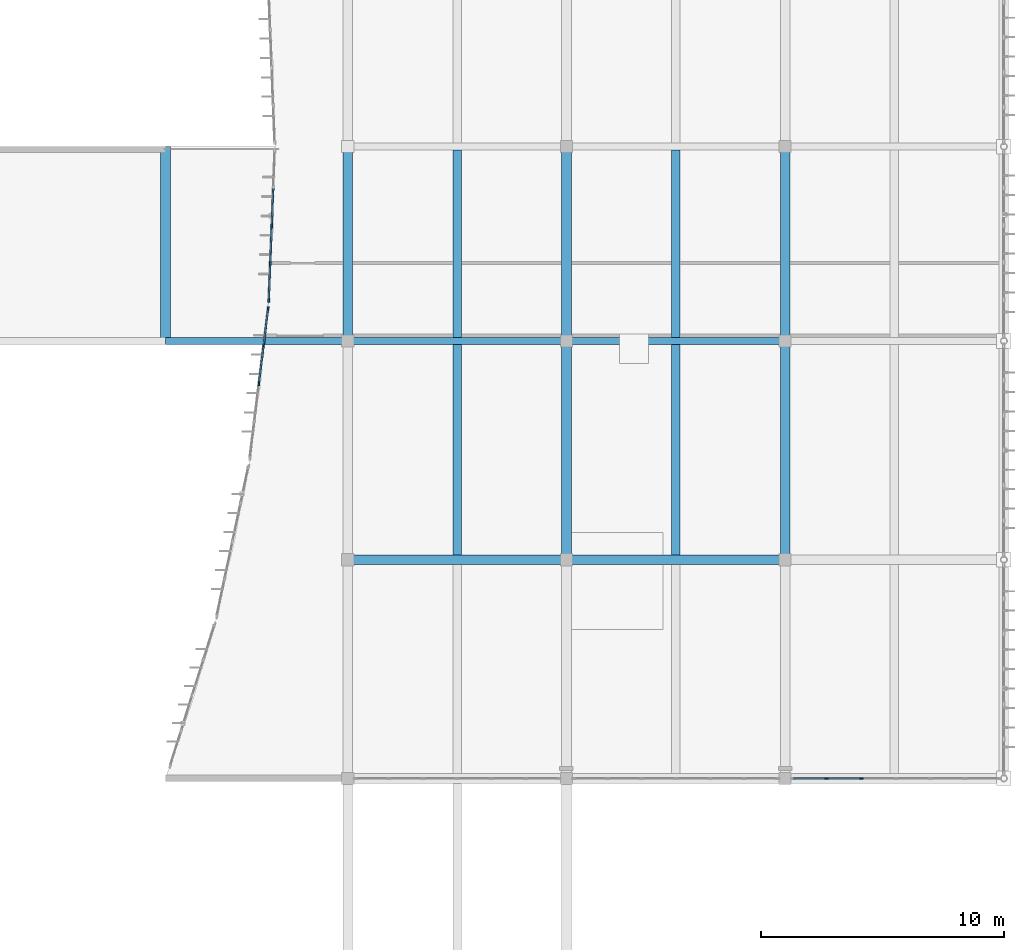
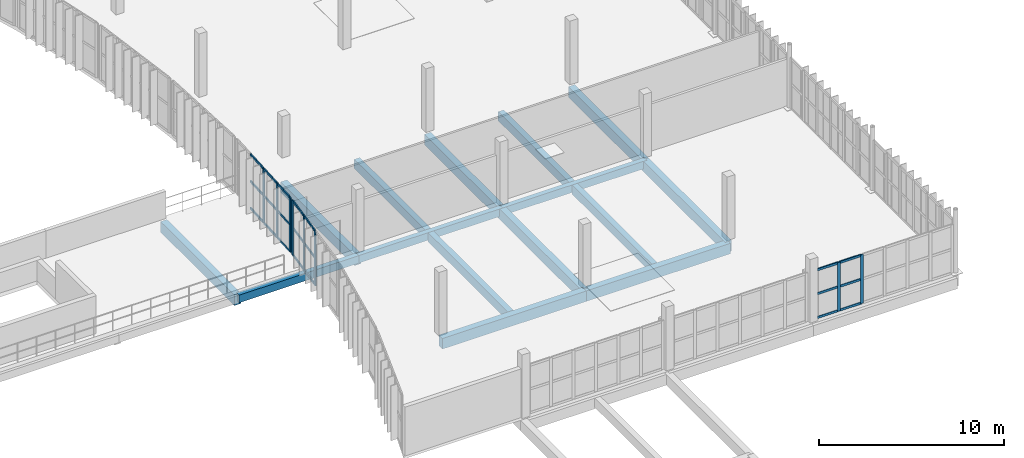
# One storey, part 23 of 61: 29 members, 15 beams, 3 elements without a shape of their own.
"""IFC4 building model written with IfcOpenShell, lengths in metres."""

from ifc_helpers import new_model, si_unit, direction, frame, origin, origin_2d, place, context, subcontext, project, spatial, rectangle, extrude, material, material_profile, profile_set, type_object, element, aggregate, save


model = new_model("IFC4")

# Units and contexts
model_context = context("Model", 3, precision=1e-05, world=origin(), true_north=direction((0.0, 1.0)))
body_context = subcontext(model_context, "Body", "Model", "MODEL_VIEW")
ifc_project = project(units=[si_unit("LENGTHUNIT", "METRE"), si_unit("AREAUNIT", "SQUARE_METRE"), si_unit("VOLUMEUNIT", "CUBIC_METRE"), si_unit("PLANEANGLEUNIT", "RADIAN"), si_unit("MASSUNIT", "GRAM", prefix="KILO")], contexts=[model_context])

# Site, building, storey
site_placement = place(None, origin())
site = spatial("IfcSite", under=ifc_project, at=site_placement, CompositionType="ELEMENT")
building_placement = place(site_placement, origin())
building = spatial("IfcBuilding", under=site, at=building_placement, Name="Vourika Railside Aquatics Centre", CompositionType="ELEMENT")
storey_placement = place(building_placement, frame((0.0, 0.0, 9.300048828125)))
storey = spatial("IfcBuildingStorey", under=building, at=storey_placement, Name="L02", CompositionType="ELEMENT", Elevation=9.300048828125)

# Beams
ifc_material_1 = material(Name="Concrete C35/45", Category="concrete")
ifc_material_profile_1 = material_profile(ifc_material_1, rectangle(XDim=0.39990234375, YDim=0.699951171875, at=origin_2d()), Name="RC 400x700")
ifc_profile_set_1 = profile_set([ifc_material_profile_1], Name="Concrete C35/45")
beam_type_1 = type_object("IfcBeamType", Name="BM-GIRD-400x700", PredefinedType="BEAM", material=ifc_profile_set_1)
for number, where, z_axis, x_axis, name in (
    (1, (141.0, 49.0, -0.630126953125), (1.0, 0.0, 0.0), (0.0, 1.0, 0.0), "Floor Beam GX-L02-045"),
    (2, (150.0, 49.0, -0.630126953125), (1.0, 0.0, 0.0), (0.0, 1.0, 0.0), "Floor Beam GX-L02-046"),
):
    element("IfcBeam", number, at=place(storey_placement, frame(where, z_axis=z_axis, x_axis=x_axis)), inside=storey, type_object=beam_type_1, Name=name, PredefinedType="BEAM", context=body_context, shape_type="SweptSolid", body=[
        extrude(rectangle(XDim=0.39990234375, YDim=0.699951171875, at=origin_2d()), origin(), (0.0, 0.0, 1.0), 9.0),
    ])
for number, where, z_axis, x_axis, name in (
    (3, (133.5, 58.0, -0.630126953125), (0.0, 1.0, 0.0), (-1.0, 0.0, 0.0), "Floor Girder GY-L02-250"),
    (4, (141.0, 58.0, -0.630126953125), (0.0, 1.0, 0.0), (-1.0, 0.0, 0.0), "Floor Girder GY-L02-261"),
):
    element("IfcBeam", number, at=place(storey_placement, frame(where, z_axis=z_axis, x_axis=x_axis)), inside=storey, type_object=beam_type_1, Name=name, PredefinedType="BEAM", context=body_context, shape_type="SweptSolid", body=[
        extrude(rectangle(XDim=0.39990234375, YDim=0.699951171875, at=origin_2d()), origin(), (0.0, 0.0, 1.0), 8.0),
    ])
beam_1_placement = place(storey_placement, frame((150.0, 49.0, -0.630126953125), z_axis=(0.0, 1.0, 0.0), x_axis=(-1.0, 0.0, 0.0)))
element("IfcBeam", 5, at=beam_1_placement, inside=storey, type_object=beam_type_1, Name="Floor Girder GY-L02-271", PredefinedType="BEAM", context=body_context, shape_type="SweptSolid", body=[
    extrude(rectangle(XDim=0.39990234375, YDim=0.699951171875, at=origin_2d()), origin(), (0.0, 0.0, 1.0), 9.0),
])
beam_2_placement = place(storey_placement, frame((150.0, 58.0, -0.630126953125), z_axis=(0.0, 1.0, 0.0), x_axis=(-1.0, 0.0, 0.0)))
element("IfcBeam", 6, at=beam_2_placement, inside=storey, type_object=beam_type_1, Name="Floor Girder GY-L02-272", PredefinedType="BEAM", context=body_context, shape_type="SweptSolid", body=[
    extrude(rectangle(XDim=0.39990234375, YDim=0.699951171875, at=origin_2d()), origin(), (0.0, 0.0, 1.0), 8.0),
])
beam_3_placement = place(storey_placement, frame((159.0, 49.0, -0.630126953125), z_axis=(0.0, 1.0, 0.0), x_axis=(-1.0, 0.0, 0.0)))
element("IfcBeam", 7, at=beam_3_placement, inside=storey, type_object=beam_type_1, Name="Floor Girder GY-L02-277", PredefinedType="BEAM", context=body_context, shape_type="SweptSolid", body=[
    extrude(rectangle(XDim=0.39990234375, YDim=0.699951171875, at=origin_2d()), origin(), (0.0, 0.0, 1.0), 9.0),
])
beam_4_placement = place(storey_placement, frame((159.0, 58.0, -0.630126953125), z_axis=(0.0, 1.0, 0.0), x_axis=(-1.0, 0.0, 0.0)))
element("IfcBeam", 8, at=beam_4_placement, inside=storey, type_object=beam_type_1, Name="Floor Girder GY-L02-278", PredefinedType="BEAM", context=body_context, shape_type="SweptSolid", body=[
    extrude(rectangle(XDim=0.39990234375, YDim=0.699951171875, at=origin_2d()), origin(), (0.0, 0.0, 1.0), 8.0),
])
ifc_material_profile_2 = material_profile(ifc_material_1, rectangle(XDim=0.35009765625, YDim=0.60009765625, at=origin_2d()), Name="RC 350x600")
ifc_profile_set_2 = profile_set([ifc_material_profile_2], Name="Concrete C35/45")
beam_type_2 = type_object("IfcBeamType", Name="BM-SEC-350x600", PredefinedType="JOIST", material=ifc_profile_set_2)
for number, where, z_axis, x_axis, name in (
    (9, (145.5, 49.199951171875, -0.580078125), (0.0, 1.0, 0.0), (-1.0, 0.0, 0.0), "Secondary Joist JY-L02-312"),
    (10, (154.5, 49.199951171875, -0.580078125), (0.0, 1.0, 0.0), (-1.0, 0.0, 0.0), "Secondary Joist JY-L02-313"),
):
    element("IfcBeam", number, at=place(storey_placement, frame(where, z_axis=z_axis, x_axis=x_axis)), inside=storey, type_object=beam_type_2, Name=name, PredefinedType="JOIST", context=body_context, shape_type="SweptSolid", body=[
        extrude(rectangle(XDim=0.35009765625, YDim=0.60009765625, at=origin_2d()), origin(), (0.0, 0.0, 1.0), 8.650146484375),
    ])
for number, where, z_axis, x_axis, name in (
    (11, (145.5, 58.14990234375, -0.580078125), (0.0, 1.0, 0.0), (-1.0, 0.0, 0.0), "Secondary Joist JY-L02-317"),
    (12, (154.5, 58.14990234375, -0.580078125), (0.0, 1.0, 0.0), (-1.0, 0.0, 0.0), "Secondary Joist JY-L02-318"),
):
    element("IfcBeam", number, at=place(storey_placement, frame(where, z_axis=z_axis, x_axis=x_axis)), inside=storey, type_object=beam_type_2, Name=name, PredefinedType="JOIST", context=body_context, shape_type="SweptSolid", body=[
        extrude(rectangle(XDim=0.35009765625, YDim=0.60009765625, at=origin_2d()), origin(), (0.0, 0.0, 1.0), 7.7001953125),
    ])
ifc_material_profile_3 = material_profile(ifc_material_1, rectangle(XDim=0.300048828125, YDim=0.5, at=origin_2d()), Name="RC 300x500")
ifc_profile_set_3 = profile_set([ifc_material_profile_3], Name="Concrete C35/45")
beam_type_3 = type_object("IfcBeamType", Name="BM-SPAN-300x500", PredefinedType="SPANDREL", material=ifc_profile_set_3)
beam_5_placement = place(storey_placement, frame((133.5, 58.0, -0.530029296875), z_axis=(1.0, 0.0, 0.0), x_axis=(0.0, 1.0, 0.0)))
element("IfcBeam", 13, at=beam_5_placement, inside=storey, type_object=beam_type_3, Name="Floor Beam GX-L02-065", PredefinedType="SPANDREL", context=body_context, shape_type="SweptSolid", body=[
    extrude(rectangle(XDim=0.300048828125, YDim=0.5, at=origin_2d()), origin(), (0.0, 0.0, 1.0), 7.5),
])
for number, where, z_axis, x_axis, name in (
    (14, (141.0, 58.0, -0.530029296875), (1.0, 0.0, 0.0), (0.0, 1.0, 0.0), "Floor Beam GX-L02-066"),
    (15, (150.0, 58.0, -0.530029296875), (1.0, 0.0, 0.0), (0.0, 1.0, 0.0), "Floor Beam GX-L02-067"),
):
    element("IfcBeam", number, at=place(storey_placement, frame(where, z_axis=z_axis, x_axis=x_axis)), inside=storey, type_object=beam_type_3, Name=name, PredefinedType="SPANDREL", context=body_context, shape_type="SweptSolid", body=[
        extrude(rectangle(XDim=0.300048828125, YDim=0.5, at=origin_2d()), origin(), (0.0, 0.0, 1.0), 9.0),
    ])

# Curtain wall, members
ifc_material_2 = material(Name="Anodized thermally broken aluminium", Category="aluminium")
curtain_wall_type_1 = type_object("IfcCurtainWallType", Name="CW-FOYC2", PredefinedType="NOTDEFINED", material=ifc_material_2)
curtain_wall_1_placement = place(storey_placement, origin())
curtain_wall_1 = element("IfcCurtainWall", 16, at=curtain_wall_1_placement, inside=storey, type_object=curtain_wall_type_1, Name="Curved Courtyard Foyer Curtain Wall L02-3", PredefinedType="NOTDEFINED")
ifc_material_3 = material(Name="Anodized aluminium mullion", Category="aluminium")
ifc_material_profile_4 = material_profile(ifc_material_3, rectangle(XDim=0.068115234375, YDim=0.175048828125, at=origin_2d()), Name="ALU-M 68x175")
ifc_profile_set_4 = profile_set([ifc_material_profile_4], Name="Anodized aluminium mullion")
member_type_1 = type_object("IfcMemberType", Name="CWM-FOYC2", PredefinedType="MULLION", material=ifc_profile_set_4)
member_1_placement = place(storey_placement, frame((137.724853515625, 59.326171875, 0.0), z_axis=(0.0, 0.0, 1.0), x_axis=(0.992598563525, -0.121441721361, 0.0)))
member_1 = element("IfcMember", 17, at=member_1_placement, type_object=member_type_1, Name="CW09 mullion 1", PredefinedType="MULLION", context=body_context, shape_type="SweptSolid", body=[
    extrude(rectangle(XDim=0.068115234375, YDim=0.175048828125, at=origin_2d()), origin(), (0.0, 0.0, 1.0), 3.619873046875),
])
member_2_placement = place(storey_placement, frame((137.538818359375, 57.804931640625, 0.0), z_axis=(0.0, 0.0, 1.0), x_axis=(0.992598563525, -0.121441721361, 0.0)))
member_2 = element("IfcMember", 18, at=member_2_placement, type_object=member_type_1, Name="CW09 mullion 2", PredefinedType="MULLION", context=body_context, shape_type="SweptSolid", body=[
    extrude(rectangle(XDim=0.068115234375, YDim=0.175048828125, at=origin_2d()), origin(), (0.0, 0.0, 1.0), 3.619873046875),
])
member_3_placement = place(storey_placement, frame((137.348388671875, 56.25, 0.0), z_axis=(0.0, 0.0, 1.0), x_axis=(0.992598563525, -0.121441721361, 0.0)))
member_3 = element("IfcMember", 19, at=member_3_placement, type_object=member_type_1, Name="CW09 mullion 3", PredefinedType="MULLION", context=body_context, shape_type="SweptSolid", body=[
    extrude(rectangle(XDim=0.068115234375, YDim=0.175048828125, at=origin_2d()), origin(), (0.0, 0.0, 1.0), 3.619873046875),
])

curtain_wall_2_placement = place(storey_placement, origin())
curtain_wall_2 = element("IfcCurtainWall", 20, at=curtain_wall_2_placement, inside=storey, type_object=curtain_wall_type_1, Name="Curved Courtyard Foyer Curtain Wall L02-4", PredefinedType="NOTDEFINED")
member_4_placement = place(storey_placement, frame((137.87548828125, 62.75, 0.0), z_axis=(0.0, 0.0, 1.0), x_axis=(0.999199675116, -0.040000115606, 0.0)))
member_4 = element("IfcMember", 21, at=member_4_placement, type_object=member_type_1, Name="CW09 mullion 3", PredefinedType="MULLION", context=body_context, shape_type="SweptSolid", body=[
    extrude(rectangle(XDim=0.068115234375, YDim=0.175048828125, at=origin_2d()), origin(), (0.0, 0.0, 1.0), 3.619873046875),
])
member_5_placement = place(storey_placement, frame((137.813232421875, 61.195068359375, 0.0), z_axis=(0.0, 0.0, 1.0), x_axis=(0.999199675116, -0.040000115606, 0.0)))
member_5 = element("IfcMember", 22, at=member_5_placement, type_object=member_type_1, Name="CW09 mullion 4", PredefinedType="MULLION", context=body_context, shape_type="SweptSolid", body=[
    extrude(rectangle(XDim=0.068115234375, YDim=0.175048828125, at=origin_2d()), origin(), (0.0, 0.0, 1.0), 3.619873046875),
])
member_6_placement = place(storey_placement, frame((137.75244140625, 59.674072265625, 0.0), z_axis=(0.0, 0.0, 1.0), x_axis=(0.999199675116, -0.040000115606, 0.0)))
member_6 = element("IfcMember", 23, at=member_6_placement, type_object=member_type_1, Name="CW09 mullion 5", PredefinedType="MULLION", context=body_context, shape_type="SweptSolid", body=[
    extrude(rectangle(XDim=0.068115234375, YDim=0.175048828125, at=origin_2d()), origin(), (0.0, 0.0, 1.0), 3.619873046875),
])

curtain_wall_type_2 = type_object("IfcCurtainWallType", Name="CW-FOYS", PredefinedType="NOTDEFINED", material=ifc_material_2)
curtain_wall_3_placement = place(storey_placement, origin())
curtain_wall_3 = element("IfcCurtainWall", 24, at=curtain_wall_3_placement, inside=storey, type_object=curtain_wall_type_2, Name="Foyer South Glazed Facade L02-3", PredefinedType="NOTDEFINED")
ifc_material_profile_5 = material_profile(ifc_material_3, rectangle(XDim=0.072021484375, YDim=0.181884765625, at=origin_2d()), Name="ALU-M 72x182")
ifc_profile_set_5 = profile_set([ifc_material_profile_5], Name="Anodized aluminium mullion")
member_type_2 = type_object("IfcMemberType", Name="CWM-FOYS", PredefinedType="MULLION", material=ifc_profile_set_5)
member_7_placement = place(storey_placement, frame((160.70556640625, 40.0, 0.0), z_axis=(0.0, 0.0, 1.0), x_axis=(0.0, 1.0, 0.0)))
member_7 = element("IfcMember", 25, at=member_7_placement, type_object=member_type_2, Name="CW11 mullion 2", PredefinedType="MULLION", context=body_context, shape_type="SweptSolid", body=[
    extrude(rectangle(XDim=0.072021484375, YDim=0.181884765625, at=origin_2d()), origin(), (0.0, 0.0, 1.0), 3.219970703125),
])
member_8_placement = place(storey_placement, frame((162.131103515625, 40.0, 0.0), z_axis=(0.0, 0.0, 1.0), x_axis=(0.0, 1.0, 0.0)))
member_8 = element("IfcMember", 26, at=member_8_placement, type_object=member_type_2, Name="CW11 mullion 3", PredefinedType="MULLION", context=body_context, shape_type="SweptSolid", body=[
    extrude(rectangle(XDim=0.072021484375, YDim=0.181884765625, at=origin_2d()), origin(), (0.0, 0.0, 1.0), 3.219970703125),
])

# Member
ifc_material_4 = material(Name="Anodized aluminium transom", Category="aluminium")
ifc_material_profile_6 = material_profile(ifc_material_4, rectangle(XDim=0.068115234375, YDim=0.137939453125, at=origin_2d()), Name="ALU-T 68x138")
ifc_profile_set_6 = profile_set([ifc_material_profile_6], Name="Anodized aluminium transom")
member_type_3 = type_object("IfcMemberType", Name="CWT-FOYC2", PredefinedType="USERDEFINED", material=ifc_profile_set_6)
member_9_placement = place(storey_placement, frame((137.720703125, 59.29248046875, 0.033935546875), z_axis=(-0.121366882428, -0.992607717001, 0.0), x_axis=(0.992607717001, -0.121366882428, 0.0)))
member_9 = element("IfcMember", 27, at=member_9_placement, type_object=member_type_3, Name="CW09 transom 1.1", ObjectType="TRANSOM", PredefinedType="USERDEFINED", context=body_context, shape_type="SweptSolid", body=[
    extrude(rectangle(XDim=0.068115234375, YDim=0.137939453125, at=origin_2d()), origin(), (0.0, 0.0, 1.0), 1.46435546875),
])

member_10_placement = place(storey_placement, frame((137.720703125, 59.29248046875, 1.81005859375), z_axis=(-0.121366882428, -0.992607717001, 0.0), x_axis=(0.992607717001, -0.121366882428, 0.0)))
member_10 = element("IfcMember", 28, at=member_10_placement, type_object=member_type_3, Name="CW09 transom 1.2", ObjectType="TRANSOM", PredefinedType="USERDEFINED", context=body_context, shape_type="SweptSolid", body=[
    extrude(rectangle(XDim=0.068115234375, YDim=0.137939453125, at=origin_2d()), origin(), (0.0, 0.0, 1.0), 1.46435546875),
])

member_11_placement = place(storey_placement, frame((137.720703125, 59.29248046875, 3.5859375), z_axis=(-0.121366882428, -0.992607717001, 0.0), x_axis=(0.992607717001, -0.121366882428, 0.0)))
member_11 = element("IfcMember", 29, at=member_11_placement, type_object=member_type_3, Name="CW09 transom 1.3", ObjectType="TRANSOM", PredefinedType="USERDEFINED", context=body_context, shape_type="SweptSolid", body=[
    extrude(rectangle(XDim=0.068115234375, YDim=0.137939453125, at=origin_2d()), origin(), (0.0, 0.0, 1.0), 1.46435546875),
])

member_12_placement = place(storey_placement, frame((137.53466796875, 57.771240234375, 0.033935546875), z_axis=(-0.121528088418, -0.992587992938, 0.0), x_axis=(0.992587992938, -0.121528088418, 0.0)))
member_12 = element("IfcMember", 30, at=member_12_placement, type_object=member_type_3, Name="CW09 transom 2.1", ObjectType="TRANSOM", PredefinedType="USERDEFINED", context=body_context, shape_type="SweptSolid", body=[
    extrude(rectangle(XDim=0.068115234375, YDim=0.137939453125, at=origin_2d()), origin(), (0.0, 0.0, 1.0), 1.49853515625),
])

member_13_placement = place(storey_placement, frame((137.53466796875, 57.771240234375, 1.81005859375), z_axis=(-0.121528088418, -0.992587992938, 0.0), x_axis=(0.992587992938, -0.121528088418, 0.0)))
member_13 = element("IfcMember", 31, at=member_13_placement, type_object=member_type_3, Name="CW09 transom 2.2", ObjectType="TRANSOM", PredefinedType="USERDEFINED", context=body_context, shape_type="SweptSolid", body=[
    extrude(rectangle(XDim=0.068115234375, YDim=0.137939453125, at=origin_2d()), origin(), (0.0, 0.0, 1.0), 1.49853515625),
])

member_14_placement = place(storey_placement, frame((137.53466796875, 57.771240234375, 3.5859375), z_axis=(-0.121528088418, -0.992587992938, 0.0), x_axis=(0.992587992938, -0.121528088418, 0.0)))
member_14 = element("IfcMember", 32, at=member_14_placement, type_object=member_type_3, Name="CW09 transom 2.3", ObjectType="TRANSOM", PredefinedType="USERDEFINED", context=body_context, shape_type="SweptSolid", body=[
    extrude(rectangle(XDim=0.068115234375, YDim=0.137939453125, at=origin_2d()), origin(), (0.0, 0.0, 1.0), 1.49853515625),
])

aggregate(curtain_wall_1, [member_1, member_2, member_3, member_9, member_10, member_11, member_12, member_13, member_14])

member_15_placement = place(storey_placement, frame((137.936279296875, 64.27099609375, 0.033935546875), z_axis=(-0.039863216303, -0.999205146097, 0.0), x_axis=(0.999205146097, -0.039863216303, 0.0)))
member_15 = element("IfcMember", 33, at=member_15_placement, type_object=member_type_3, Name="CW09 transom 2.1", ObjectType="TRANSOM", PredefinedType="USERDEFINED", context=body_context, shape_type="SweptSolid", body=[
    extrude(rectangle(XDim=0.068115234375, YDim=0.137939453125, at=origin_2d()), origin(), (0.0, 0.0, 1.0), 1.48828125),
])

member_16_placement = place(storey_placement, frame((137.936279296875, 64.27099609375, 1.81005859375), z_axis=(-0.039863216303, -0.999205146097, 0.0), x_axis=(0.999205146097, -0.039863216303, 0.0)))
member_16 = element("IfcMember", 34, at=member_16_placement, type_object=member_type_3, Name="CW09 transom 2.2", ObjectType="TRANSOM", PredefinedType="USERDEFINED", context=body_context, shape_type="SweptSolid", body=[
    extrude(rectangle(XDim=0.068115234375, YDim=0.137939453125, at=origin_2d()), origin(), (0.0, 0.0, 1.0), 1.48828125),
])

member_17_placement = place(storey_placement, frame((137.936279296875, 64.27099609375, 3.5859375), z_axis=(-0.039863216303, -0.999205146097, 0.0), x_axis=(0.999205146097, -0.039863216303, 0.0)))
member_17 = element("IfcMember", 35, at=member_17_placement, type_object=member_type_3, Name="CW09 transom 2.3", ObjectType="TRANSOM", PredefinedType="USERDEFINED", context=body_context, shape_type="SweptSolid", body=[
    extrude(rectangle(XDim=0.068115234375, YDim=0.137939453125, at=origin_2d()), origin(), (0.0, 0.0, 1.0), 1.48828125),
])

member_18_placement = place(storey_placement, frame((137.8740234375, 62.716064453125, 0.033935546875), z_axis=(-0.039863216303, -0.999205146097, 0.0), x_axis=(0.999205146097, -0.039863216303, 0.0)))
member_18 = element("IfcMember", 36, at=member_18_placement, type_object=member_type_3, Name="CW09 transom 3.1", ObjectType="TRANSOM", PredefinedType="USERDEFINED", context=body_context, shape_type="SweptSolid", body=[
    extrude(rectangle(XDim=0.068115234375, YDim=0.137939453125, at=origin_2d()), origin(), (0.0, 0.0, 1.0), 1.48828125),
])

member_19_placement = place(storey_placement, frame((137.8740234375, 62.716064453125, 1.81005859375), z_axis=(-0.039863216303, -0.999205146097, 0.0), x_axis=(0.999205146097, -0.039863216303, 0.0)))
member_19 = element("IfcMember", 37, at=member_19_placement, type_object=member_type_3, Name="CW09 transom 3.2", ObjectType="TRANSOM", PredefinedType="USERDEFINED", context=body_context, shape_type="SweptSolid", body=[
    extrude(rectangle(XDim=0.068115234375, YDim=0.137939453125, at=origin_2d()), origin(), (0.0, 0.0, 1.0), 1.48828125),
])

member_20_placement = place(storey_placement, frame((137.8740234375, 62.716064453125, 3.5859375), z_axis=(-0.039863216303, -0.999205146097, 0.0), x_axis=(0.999205146097, -0.039863216303, 0.0)))
member_20 = element("IfcMember", 38, at=member_20_placement, type_object=member_type_3, Name="CW09 transom 3.3", ObjectType="TRANSOM", PredefinedType="USERDEFINED", context=body_context, shape_type="SweptSolid", body=[
    extrude(rectangle(XDim=0.068115234375, YDim=0.137939453125, at=origin_2d()), origin(), (0.0, 0.0, 1.0), 1.48828125),
])

member_21_placement = place(storey_placement, frame((137.81201171875, 61.1611328125, 0.033935546875), z_axis=(-0.040122236585, -0.999194778875, 0.0), x_axis=(0.999194778875, -0.040122236585, 0.0)))
member_21 = element("IfcMember", 39, at=member_21_placement, type_object=member_type_3, Name="CW09 transom 4.1", ObjectType="TRANSOM", PredefinedType="USERDEFINED", context=body_context, shape_type="SweptSolid", body=[
    extrude(rectangle(XDim=0.068115234375, YDim=0.137939453125, at=origin_2d()), origin(), (0.0, 0.0, 1.0), 1.454345703125),
])

member_22_placement = place(storey_placement, frame((137.81201171875, 61.1611328125, 1.81005859375), z_axis=(-0.040122236585, -0.999194778875, 0.0), x_axis=(0.999194778875, -0.040122236585, 0.0)))
member_22 = element("IfcMember", 40, at=member_22_placement, type_object=member_type_3, Name="CW09 transom 4.2", ObjectType="TRANSOM", PredefinedType="USERDEFINED", context=body_context, shape_type="SweptSolid", body=[
    extrude(rectangle(XDim=0.068115234375, YDim=0.137939453125, at=origin_2d()), origin(), (0.0, 0.0, 1.0), 1.454345703125),
])

member_23_placement = place(storey_placement, frame((137.81201171875, 61.1611328125, 3.5859375), z_axis=(-0.040122236585, -0.999194778875, 0.0), x_axis=(0.999194778875, -0.040122236585, 0.0)))
member_23 = element("IfcMember", 41, at=member_23_placement, type_object=member_type_3, Name="CW09 transom 4.3", ObjectType="TRANSOM", PredefinedType="USERDEFINED", context=body_context, shape_type="SweptSolid", body=[
    extrude(rectangle(XDim=0.068115234375, YDim=0.137939453125, at=origin_2d()), origin(), (0.0, 0.0, 1.0), 1.454345703125),
])

aggregate(curtain_wall_2, [member_4, member_5, member_6, member_15, member_16, member_17, member_18, member_19, member_20, member_21, member_22, member_23])

ifc_material_profile_7 = material_profile(ifc_material_4, rectangle(XDim=0.072021484375, YDim=0.14404296875, at=origin_2d()), Name="ALU-T 72x144")
ifc_profile_set_7 = profile_set([ifc_material_profile_7], Name="Anodized aluminium transom")
member_type_4 = type_object("IfcMemberType", Name="CWT-FOYS", PredefinedType="USERDEFINED", material=ifc_profile_set_7)
member_24_placement = place(storey_placement, frame((159.35205078125, 40.0, 0.035888671875), z_axis=(1.0, 0.0, 0.0), x_axis=(0.0, 1.0, 0.0)))
member_24 = element("IfcMember", 42, at=member_24_placement, type_object=member_type_4, Name="CW11 transom 1.1", ObjectType="TRANSOM", PredefinedType="USERDEFINED", context=body_context, shape_type="SweptSolid", body=[
    extrude(rectangle(XDim=0.072021484375, YDim=0.14404296875, at=origin_2d()), origin(), (0.0, 0.0, 1.0), 1.317626953125),
])

member_25_placement = place(storey_placement, frame((159.35205078125, 40.0, 1.60986328125), z_axis=(1.0, 0.0, 0.0), x_axis=(0.0, 1.0, 0.0)))
member_25 = element("IfcMember", 43, at=member_25_placement, type_object=member_type_4, Name="CW11 transom 1.2", ObjectType="TRANSOM", PredefinedType="USERDEFINED", context=body_context, shape_type="SweptSolid", body=[
    extrude(rectangle(XDim=0.072021484375, YDim=0.14404296875, at=origin_2d()), origin(), (0.0, 0.0, 1.0), 1.317626953125),
])

member_26_placement = place(storey_placement, frame((159.35205078125, 40.0, 3.183837890625), z_axis=(1.0, 0.0, 0.0), x_axis=(0.0, 1.0, 0.0)))
member_26 = element("IfcMember", 44, at=member_26_placement, type_object=member_type_4, Name="CW11 transom 1.3", ObjectType="TRANSOM", PredefinedType="USERDEFINED", context=body_context, shape_type="SweptSolid", body=[
    extrude(rectangle(XDim=0.072021484375, YDim=0.14404296875, at=origin_2d()), origin(), (0.0, 0.0, 1.0), 1.317626953125),
])

member_27_placement = place(storey_placement, frame((160.74169921875, 40.0, 0.035888671875), z_axis=(1.0, 0.0, 0.0), x_axis=(0.0, 1.0, 0.0)))
member_27 = element("IfcMember", 45, at=member_27_placement, type_object=member_type_4, Name="CW11 transom 2.1", ObjectType="TRANSOM", PredefinedType="USERDEFINED", context=body_context, shape_type="SweptSolid", body=[
    extrude(rectangle(XDim=0.072021484375, YDim=0.14404296875, at=origin_2d()), origin(), (0.0, 0.0, 1.0), 1.353515625),
])

member_28_placement = place(storey_placement, frame((160.74169921875, 40.0, 1.60986328125), z_axis=(1.0, 0.0, 0.0), x_axis=(0.0, 1.0, 0.0)))
member_28 = element("IfcMember", 46, at=member_28_placement, type_object=member_type_4, Name="CW11 transom 2.2", ObjectType="TRANSOM", PredefinedType="USERDEFINED", context=body_context, shape_type="SweptSolid", body=[
    extrude(rectangle(XDim=0.072021484375, YDim=0.14404296875, at=origin_2d()), origin(), (0.0, 0.0, 1.0), 1.353515625),
])

member_29_placement = place(storey_placement, frame((160.74169921875, 40.0, 3.183837890625), z_axis=(1.0, 0.0, 0.0), x_axis=(0.0, 1.0, 0.0)))
member_29 = element("IfcMember", 47, at=member_29_placement, type_object=member_type_4, Name="CW11 transom 2.3", ObjectType="TRANSOM", PredefinedType="USERDEFINED", context=body_context, shape_type="SweptSolid", body=[
    extrude(rectangle(XDim=0.072021484375, YDim=0.14404296875, at=origin_2d()), origin(), (0.0, 0.0, 1.0), 1.353515625),
])

aggregate(curtain_wall_3, [member_7, member_8, member_24, member_25, member_26, member_27, member_28, member_29])

save(model, "model.ifc")
